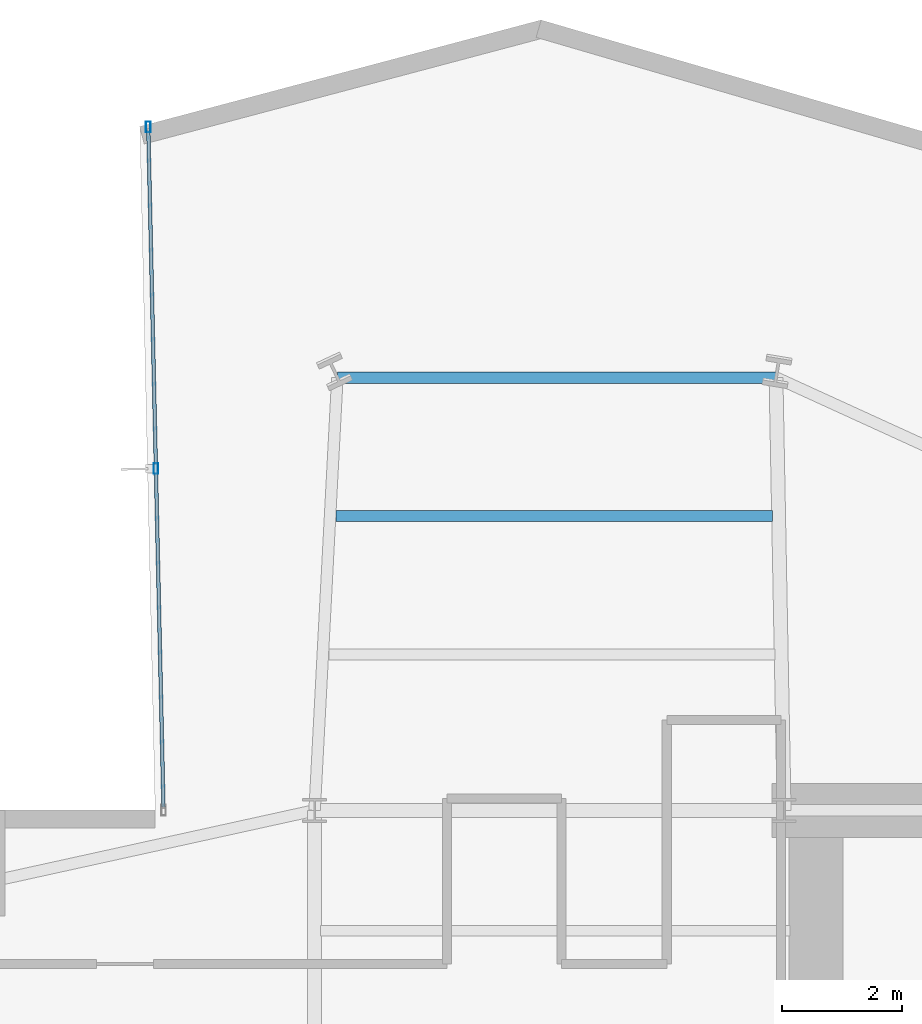
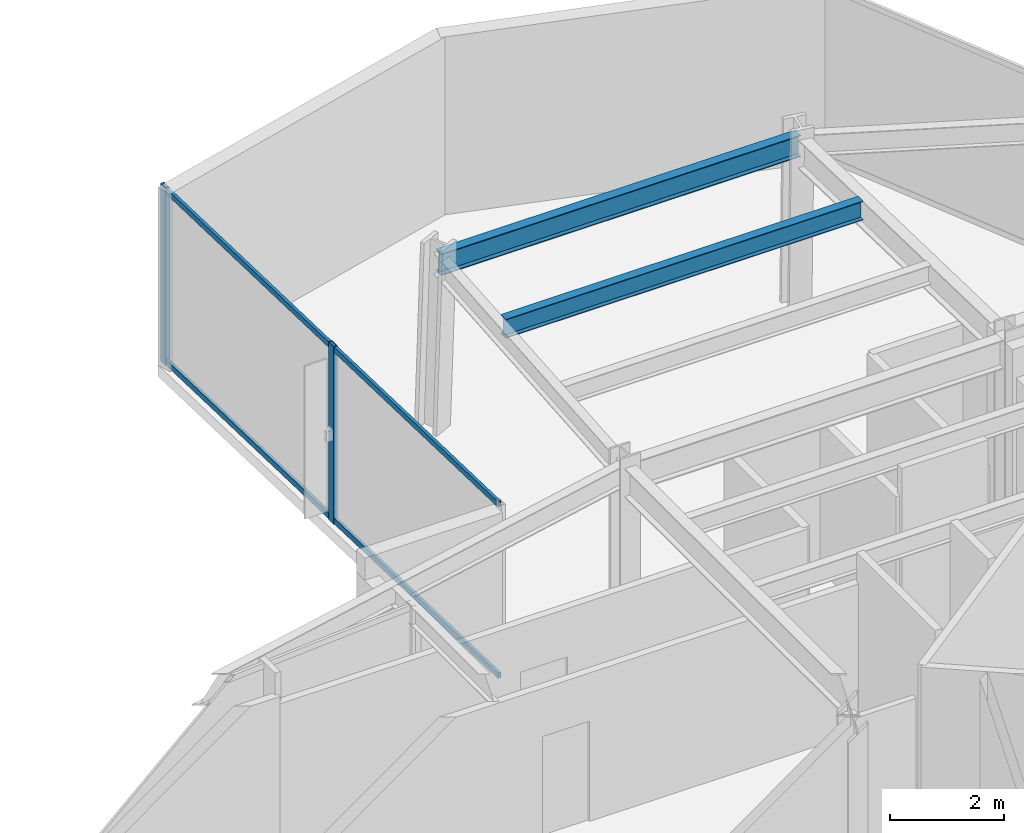
# One storey, part 17 of 26: 4 members, 2 beams, 1 element without a shape of its own.
"""IFC4 building model written with IfcOpenShell, lengths in metres."""

from ifc_helpers import new_model, si_unit, direction, frame, origin, origin_2d, place, context, subcontext, project, spatial, hollow_rectangle, i_section, extrude, material, layer, layer_set, material_profile, profile_set, type_object, element, aggregate, save


model = new_model("IFC4")

# Units and contexts
model_context = context("Model", 3, precision=1e-05, world=origin(), true_north=direction((0.0, 1.0)))
body_context = subcontext(model_context, "Body", "Model", "MODEL_VIEW")
ifc_project = project(units=[si_unit("LENGTHUNIT", "METRE"), si_unit("AREAUNIT", "SQUARE_METRE"), si_unit("VOLUMEUNIT", "CUBIC_METRE"), si_unit("PLANEANGLEUNIT", "RADIAN"), si_unit("MASSUNIT", "GRAM", prefix="KILO")], contexts=[model_context])

# Site, building, storey
site_placement = place(None, origin())
site = spatial("IfcSite", under=ifc_project, at=site_placement, CompositionType="ELEMENT")
building_placement = place(site_placement, origin())
building = spatial("IfcBuilding", under=site, at=building_placement, Name="Veymaron Broadcast Tower", CompositionType="ELEMENT")
storey_placement = place(building_placement, frame((0.0, 0.0, 90.449951171875)))
storey = spatial("IfcBuildingStorey", under=building, at=storey_placement, Name="L20", CompositionType="ELEMENT", Elevation=90.449951171875)

# Beams
ifc_material_1 = material(Name="Structural steel ASTM A992 Gr 50", Category="steel")
ifc_material_profile_1 = material_profile(ifc_material_1, i_section(OverallWidth=0.177978515625, OverallDepth=0.406982421875, WebThickness=0.0078125, FlangeThickness=0.0126953125, at=origin_2d()), Name="W410X60")
ifc_profile_set_1 = profile_set([ifc_material_profile_1], Name="Structural steel ASTM A992 Gr 50")
beam_type_1 = type_object("IfcBeamType", Name="BM-JS1", PredefinedType="JOIST", material=ifc_profile_set_1)
beam_1_placement = place(storey_placement, frame((31.556884765625, 36.88916015625, 3.6064453125), z_axis=(1.0, 0.0, 0.0), x_axis=(0.0, 1.0, 0.0)))
element("IfcBeam", 1, at=beam_1_placement, inside=storey, type_object=beam_type_1, Name="L20 Arm-B secondary joist 2", PredefinedType="JOIST", context=body_context, shape_type="SweptSolid", body=[
    extrude(i_section(OverallWidth=0.177978515625, OverallDepth=0.406982421875, WebThickness=0.0078125, FlangeThickness=0.0126953125, at=origin_2d()), origin(), (0.0, 0.0, 1.0), 7.251220703125),
])
ifc_material_profile_2 = material_profile(ifc_material_1, i_section(OverallWidth=0.19091796875, OverallDepth=0.4599609375, WebThickness=0.010009765625, FlangeThickness=0.01611328125, at=origin_2d()), Name="W460X82")
ifc_profile_set_2 = profile_set([ifc_material_profile_2], Name="Structural steel ASTM A992 Gr 50")
beam_type_2 = type_object("IfcBeamType", Name="BM-SP1", PredefinedType="SPANDREL", material=ifc_profile_set_2)
beam_2_placement = place(storey_placement, frame((31.577880859375, 39.18994140625, 3.580078125), z_axis=(1.0, 0.0, 0.0), x_axis=(0.0, 1.0, 0.0)))
element("IfcBeam", 2, at=beam_2_placement, inside=storey, type_object=beam_type_2, Name="L20 primary structural floor girder", PredefinedType="SPANDREL", context=body_context, shape_type="SweptSolid", body=[
    extrude(i_section(OverallWidth=0.19091796875, OverallDepth=0.4599609375, WebThickness=0.010009765625, FlangeThickness=0.01611328125, at=origin_2d()), origin(), (0.0, 0.0, 1.0), 7.287109375),
])

# Curtain wall, members
ifc_material_2 = material(Name="Anodised aluminium AA 6063-T6 and laminated low-E dark glass", Category="aluminium")
ifc_layer = layer(ifc_material_2, 0.179931640625)
ifc_layer_set = layer_set([ifc_layer], Name="Anodised aluminium AA 6063-T6 and laminated low-E dark glass")
curtain_wall_type = type_object("IfcCurtainWallType", Name="CW-SYS-02", PredefinedType="NOTDEFINED", material=ifc_layer_set)
curtain_wall_placement = place(storey_placement, origin())
curtain_wall = element("IfcCurtainWall", 3, at=curtain_wall_placement, inside=storey, type_object=curtain_wall_type, Name="L20 dark-glass curtain wall CW-L20-E9-1", PredefinedType="NOTDEFINED")
ifc_material_3 = material(Name="Anodised aluminium AA 6063-T6", Category="aluminium")
ifc_material_profile_3 = material_profile(ifc_material_3, hollow_rectangle(XDim=0.074951171875, YDim=0.179931640625, WallThickness=0.0048828125, at=origin_2d()), Name="AL180X75X5")
ifc_profile_set_3 = profile_set([ifc_material_profile_3], Name="Anodised aluminium AA 6063-T6")
member_type_1 = type_object("IfcMemberType", Name="CW-MUL-02", PredefinedType="MULLION", material=ifc_profile_set_3)
member_1_placement = place(storey_placement, frame((28.436279296875, 43.35400390625, 0.0), z_axis=(0.0, 0.0, 1.0), x_axis=(1.0, 0.0, 0.0)))
member_1 = element("IfcMember", 4, at=member_1_placement, type_object=member_type_1, Name="CW-L20-E9-1 mullion 0", PredefinedType="MULLION", context=body_context, shape_type="SweptSolid", body=[
    extrude(hollow_rectangle(XDim=0.074951171875, YDim=0.179931640625, WallThickness=0.0048828125, at=origin_2d()), origin(), (0.0, 0.0, 1.0), 3.81005859375),
])
member_2_placement = place(storey_placement, frame((28.563232421875, 37.6787109375, 0.0), z_axis=(0.0, 0.0, 1.0), x_axis=(1.0, 0.0, 0.0)))
member_2 = element("IfcMember", 5, at=member_2_placement, type_object=member_type_1, Name="CW-L20-E9-1 mullion 1", PredefinedType="MULLION", context=body_context, shape_type="SweptSolid", body=[
    extrude(hollow_rectangle(XDim=0.074951171875, YDim=0.179931640625, WallThickness=0.0048828125, at=origin_2d()), origin(), (0.0, 0.0, 1.0), 3.81005859375),
])
ifc_material_profile_4 = material_profile(ifc_material_3, hollow_rectangle(XDim=0.06005859375, YDim=0.1201171875, WallThickness=0.00390625, at=origin_2d()), Name="AL120X60X4")
ifc_profile_set_4 = profile_set([ifc_material_profile_4], Name="Anodised aluminium AA 6063-T6")
member_type_2 = type_object("IfcMemberType", Name="CW-TRN-02", PredefinedType="USERDEFINED", material=ifc_profile_set_4)
member_3_placement = place(storey_placement, frame((28.437255859375, 43.30419921875, 0.070068359375), z_axis=(0.022366108117, -0.999749847316, 0.0), x_axis=(0.999749847316, 0.022366108117, 0.0)))
member_3 = element("IfcMember", 6, at=member_3_placement, type_object=member_type_2, Name="CW-L20-E9-1 transom B", ObjectType="TRANSOM", PredefinedType="USERDEFINED", context=body_context, shape_type="SweptSolid", body=[
    extrude(hollow_rectangle(XDim=0.06005859375, YDim=0.1201171875, WallThickness=0.00390625, at=origin_2d()), origin(), (0.0, 0.0, 1.0), 11.254150390625),
])
member_4_placement = place(storey_placement, frame((28.437255859375, 43.30419921875, 3.739990234375), z_axis=(0.022366108117, -0.999749847316, 0.0), x_axis=(0.999749847316, 0.022366108117, 0.0)))
member_4 = element("IfcMember", 7, at=member_4_placement, type_object=member_type_2, Name="CW-L20-E9-1 transom T", ObjectType="TRANSOM", PredefinedType="USERDEFINED", context=body_context, shape_type="SweptSolid", body=[
    extrude(hollow_rectangle(XDim=0.06005859375, YDim=0.1201171875, WallThickness=0.00390625, at=origin_2d()), origin(), (0.0, 0.0, 1.0), 11.254150390625),
])
aggregate(curtain_wall, [member_1, member_2, member_3, member_4])

save(model, "model.ifc")
